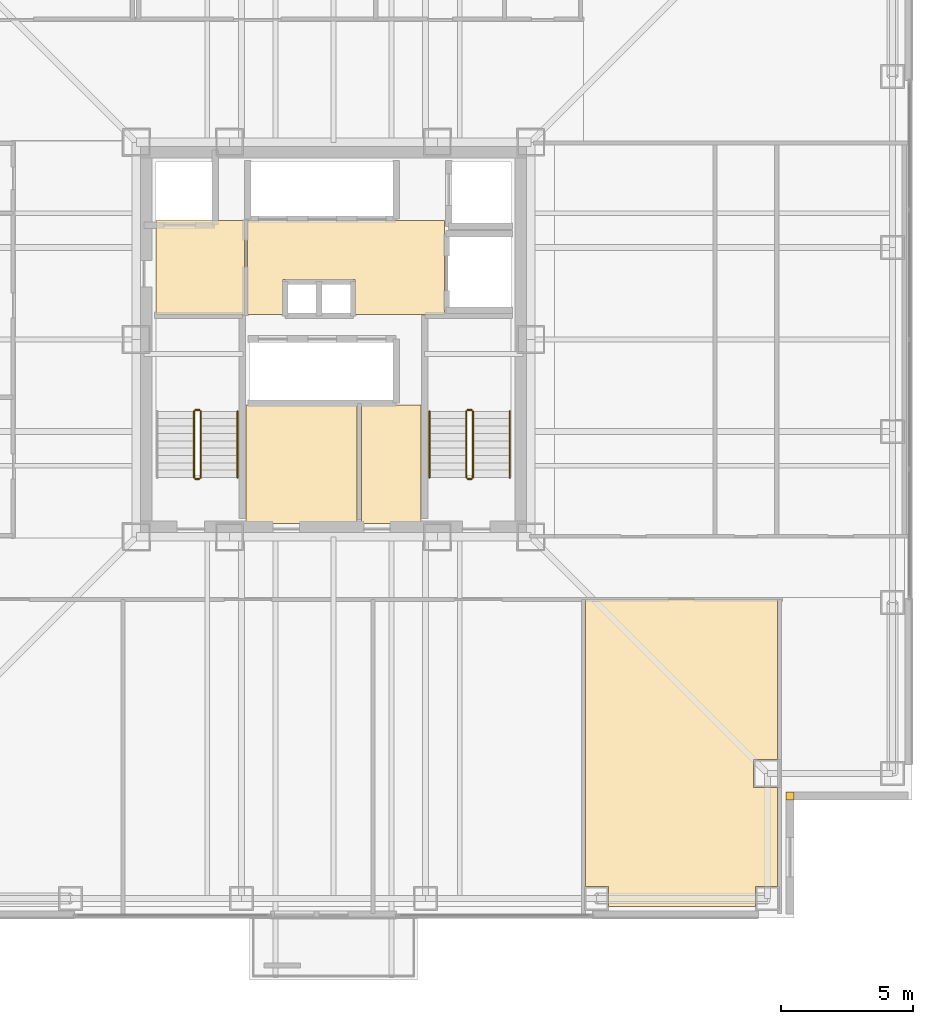
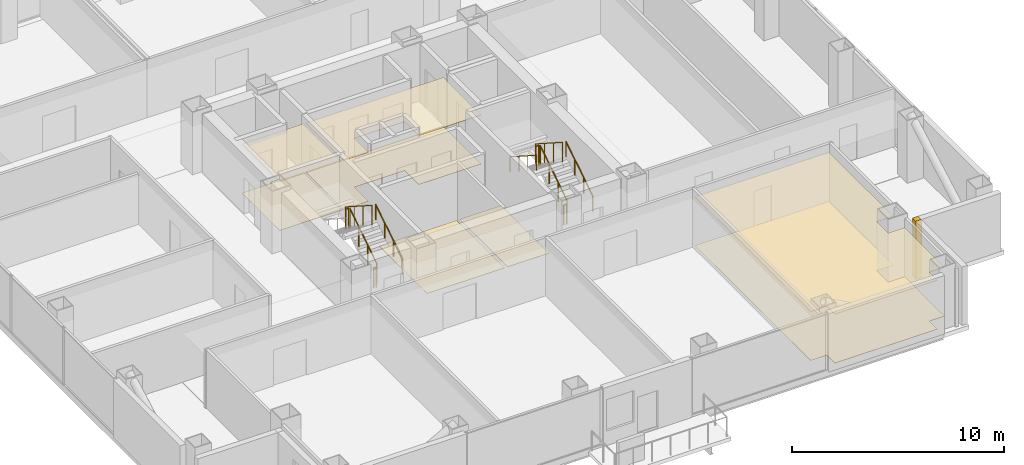
# One storey, part 13 of 14: 11 railings, 9 coverings.
"""IFC4 building model written with IfcOpenShell, lengths in metres."""

from ifc_helpers import new_model, si_unit, direction, frame, origin, origin_2d, place, context, subcontext, project, spatial, polyline, circle, outline, extrude, material, layer, layer_set, type_object, element, save


model = new_model("IFC4")

# Units and contexts
model_context = context("Model", 3, precision=1e-05, world=origin(), true_north=direction((0.0, 1.0)))
body_context = subcontext(model_context, "Body", "Model", "MODEL_VIEW")
ifc_project = project(units=[si_unit("LENGTHUNIT", "METRE"), si_unit("AREAUNIT", "SQUARE_METRE"), si_unit("VOLUMEUNIT", "CUBIC_METRE"), si_unit("PLANEANGLEUNIT", "RADIAN"), si_unit("MASSUNIT", "GRAM", prefix="KILO")], contexts=[model_context])

# Site, building, storey
site_placement = place(None, origin())
site = spatial("IfcSite", under=ifc_project, at=site_placement, CompositionType="ELEMENT")
building_placement = place(site_placement, origin())
building = spatial("IfcBuilding", under=site, at=building_placement, Name="Trevonay Congress Spire", CompositionType="ELEMENT")
storey_placement = place(building_placement, frame((0.0, 0.0, 133.60009765625)))
storey = spatial("IfcBuildingStorey", under=building, at=storey_placement, Name="L34", CompositionType="ELEMENT", Elevation=133.60009765625)

# Coverings
ifc_material_1 = material(Name="Acoustic Mineral Fibre Board", Category="gypsum")
ifc_layer_1 = layer(ifc_material_1, 0.02490234375, Name="Acoustic Mineral Fibre Board")
ifc_layer_set_1 = layer_set([ifc_layer_1], Name="Acoustic Mineral Fibre Board")
covering_type_1 = type_object("IfcCoveringType", Name="COV-CEIL-ACOUSTIC", PredefinedType="CEILING", material=ifc_layer_set_1)
covering_1_placement = place(storey_placement, frame((0.0, 0.0, 2.809814453125)))
element("IfcCovering", 1, at=covering_1_placement, inside=storey, type_object=covering_type_1, Name="L34 Firefighting Lift Lobby West acoustic suspended ceiling", PredefinedType="CEILING", context=body_context, shape_type="SweptSolid", body=[
    extrude(outline(polyline([(-6.75, 0.9599609375), (-3.3798828125, 0.9599609375), (-3.3798828125, 4.52001953125), (-6.75, 4.52001953125), (-6.75, 0.9599609375)])), origin(), (0.0, 0.0, 1.0), 0.025146484375),
])
covering_2_placement = place(storey_placement, frame((0.0, 0.0, 2.809814453125)))
element("IfcCovering", 2, at=covering_2_placement, inside=storey, type_object=covering_type_1, Name="L34 Central and High-Rise Passenger Lift Lobby acoustic suspended ceiling", PredefinedType="CEILING", context=body_context, shape_type="SweptSolid", body=[
    extrude(outline(polyline([(-3.280029296875, 0.949951171875), (-1.919921875, 0.949951171875), (-1.919921875, 2.280029296875), (0.820068359375, 2.280029296875), (0.820068359375, 0.949951171875), (4.219970703125, 0.949951171875), (4.219970703125, 4.52001953125), (-3.280029296875, 4.52001953125), (-3.280029296875, 0.949951171875)])), origin(), (0.0, 0.0, 1.0), 0.025146484375),
])
covering_3_placement = place(storey_placement, frame((0.0, 0.0, 2.809814453125)))
element("IfcCovering", 3, at=covering_3_placement, inside=storey, type_object=covering_type_1, Name="L34 Library Catalogue Office acoustic suspended ceiling", PredefinedType="CEILING", context=body_context, shape_type="SweptSolid", body=[
    extrude(outline(polyline([(10.4599609375, -21.550048828125), (10.4599609375, -20.7900390625), (9.580078125, -20.7900390625), (9.580078125, -9.8798828125), (16.8701171875, -9.8798828125), (16.8701171875, -15.965087890625), (15.965087890625, -15.965087890625), (15.965087890625, -17.034912109375), (16.8701171875, -17.034912109375), (16.8701171875, -20.7900390625), (16.0400390625, -20.7900390625), (16.0400390625, -21.550048828125), (10.4599609375, -21.550048828125)])), origin(), (0.0, 0.0, 1.0), 0.025146484375),
])
ifc_material_2 = material(Name="Polished Granite Floor Tile", Category="masonry")
ifc_layer_2 = layer(ifc_material_2, 0.02001953125, Name="Polished Granite Floor Tile")
ifc_layer_set_2 = layer_set([ifc_layer_2], Name="Polished Granite Floor Tile")
covering_type_2 = type_object("IfcCoveringType", Name="COV-FLOOR-STONE", PredefinedType="FLOORING", material=ifc_layer_set_2)
covering_4_placement = place(storey_placement, origin())
element("IfcCovering", 4, at=covering_4_placement, inside=storey, type_object=covering_type_2, Name="L34 Firefighting Lift Lobby West floor finish", PredefinedType="FLOORING", context=body_context, shape_type="SweptSolid", body=[
    extrude(outline(polyline([(-6.75, 0.9599609375), (-3.3798828125, 0.9599609375), (-3.3798828125, 4.52001953125), (-6.75, 4.52001953125), (-6.75, 0.9599609375)])), origin(), (0.0, 0.0, 1.0), 0.02001953125),
])
covering_5_placement = place(storey_placement, origin())
element("IfcCovering", 5, at=covering_5_placement, inside=storey, type_object=covering_type_2, Name="L34 Central and High-Rise Passenger Lift Lobby floor finish", PredefinedType="FLOORING", context=body_context, shape_type="SweptSolid", body=[
    extrude(outline(polyline([(-3.280029296875, 0.949951171875), (-1.919921875, 0.949951171875), (-1.919921875, 2.280029296875), (0.820068359375, 2.280029296875), (0.820068359375, 0.949951171875), (4.219970703125, 0.949951171875), (4.219970703125, 4.52001953125), (-3.280029296875, 4.52001953125), (-3.280029296875, 0.949951171875)])), origin(), (0.0, 0.0, 1.0), 0.02001953125),
])
covering_6_placement = place(storey_placement, origin())
element("IfcCovering", 6, at=covering_6_placement, inside=storey, type_object=covering_type_2, Name="L34 Translation Equipment Hub floor finish", PredefinedType="FLOORING", context=body_context, shape_type="SweptSolid", body=[
    extrude(outline(polyline([(-3.320068359375, -7.0), (0.89990234375, -7.0), (0.89990234375, -2.47998046875), (-3.320068359375, -2.47998046875), (-3.320068359375, -7.0)])), origin(), (0.0, 0.0, 1.0), 0.02001953125),
])
covering_7_placement = place(storey_placement, origin())
element("IfcCovering", 7, at=covering_7_placement, inside=storey, type_object=covering_type_2, Name="L34 Floor Supplies Store floor finish", PredefinedType="FLOORING", context=body_context, shape_type="SweptSolid", body=[
    extrude(outline(polyline([(1.06005859375, -7.0), (3.320068359375, -7.0), (3.320068359375, -2.47998046875), (1.06005859375, -2.47998046875), (1.06005859375, -7.0)])), origin(), (0.0, 0.0, 1.0), 0.02001953125),
])
ifc_material_3 = material(Name="Engineered Oak Flooring", Category="wood")
ifc_layer_3 = layer(ifc_material_3, 0.01806640625, Name="Engineered Oak Flooring")
ifc_layer_set_3 = layer_set([ifc_layer_3], Name="Engineered Oak Flooring")
covering_type_3 = type_object("IfcCoveringType", Name="COV-FLOOR-TIMBER", PredefinedType="FLOORING", material=ifc_layer_set_3)
covering_8_placement = place(storey_placement, origin())
element("IfcCovering", 8, at=covering_8_placement, inside=storey, type_object=covering_type_3, Name="L34 Library Catalogue Office floor finish", PredefinedType="FLOORING", context=body_context, shape_type="SweptSolid", body=[
    extrude(outline(polyline([(10.4599609375, -21.550048828125), (10.4599609375, -20.7900390625), (9.580078125, -20.7900390625), (9.580078125, -9.8798828125), (16.8701171875, -9.8798828125), (16.8701171875, -15.965087890625), (15.965087890625, -15.965087890625), (15.965087890625, -17.034912109375), (16.8701171875, -17.034912109375), (16.8701171875, -20.7900390625), (16.0400390625, -20.7900390625), (16.0400390625, -21.550048828125), (10.4599609375, -21.550048828125)])), origin(), (0.0, 0.0, 1.0), 0.017822265625),
])
ifc_material_4 = material(Name="Pale Anodised Aluminium EN AW-6063-T6", Category="aluminium")
ifc_layer_4 = layer(ifc_material_4, 0.0400390625, Name="Pale Anodised Aluminium EN AW-6063-T6")
ifc_layer_set_4 = layer_set([ifc_layer_4], Name="Pale Anodised Aluminium EN AW-6063-T6")
covering_type_4 = type_object("IfcCoveringType", Name="COV-SPANDREL-PALE-METAL", PredefinedType="CLADDING", material=ifc_layer_set_4)
covering_9_placement = place(storey_placement, origin())
element("IfcCovering", 9, at=covering_9_placement, inside=storey, type_object=covering_type_4, Name="L34 SE re-entrant notch corner closure trim", PredefinedType="CLADDING", context=body_context, shape_type="SweptSolid", body=[
    extrude(outline(polyline([(17.199951171875, -17.5), (17.5, -17.5), (17.5, -17.199951171875), (17.199951171875, -17.199951171875), (17.199951171875, -17.5)])), origin(), (0.0, 0.0, 1.0), 3.35986328125),
])

# Railings
railing_type_1 = type_object("IfcRailingType", Name="RAL-STAIR-GUARD-110", PredefinedType="GUARDRAIL", material=ifc_material_4)
railing_1_placement = place(storey_placement, frame((-5.050048828125, -5.25, 0.179931640625)))
element("IfcRailing", 10, at=railing_1_placement, inside=storey, type_object=railing_type_1, Name="L34 ST-1 stair guard 1", PredefinedType="GUARDRAIL", context=body_context, shape_type="SweptSolid", body=[
    extrude(circle(Radius=0.02392578125, at=origin_2d()), frame((0.0, 0.0, 1.1259765625), z_axis=(0.0, 0.841199657755, 0.540724639528), x_axis=(-1.0, 0.0, 0.0)), (0.0, 0.0, 1.0), 2.995849609375),
    extrude(circle(Radius=0.02099609375, at=origin_2d()), origin(), (0.0, 0.0, 1.0), 1.101806640625),
    extrude(circle(Radius=0.02099609375, at=origin_2d()), frame((0.0, 0.840087890625, 0.5400390625)), (0.0, 0.0, 1.0), 1.101806640625),
    extrude(circle(Radius=0.02099609375, at=origin_2d()), frame((0.0, 1.679931640625, 1.079833984375)), (0.0, 0.0, 1.0), 1.101806640625),
    extrude(circle(Radius=0.02099609375, at=origin_2d()), frame((0.0, 2.52001953125, 1.619873046875)), (0.0, 0.0, 1.0), 1.101806640625),
])
railing_2_placement = place(storey_placement, frame((-5.10009765625, -2.679931640625, 1.7998046875)))
element("IfcRailing", 11, at=railing_2_placement, inside=storey, type_object=railing_type_1, Name="L34 ST-1 stair guard 2", PredefinedType="GUARDRAIL", context=body_context, shape_type="SweptSolid", body=[
    extrude(circle(Radius=0.02392578125, at=origin_2d()), frame((0.0, 0.0, 1.1259765625), z_axis=(-1.0, 0.0, 0.0), x_axis=(0.0, -1.0, 0.0)), (0.0, 0.0, 1.0), 0.14990234375),
    extrude(circle(Radius=0.02099609375, at=origin_2d()), origin(), (0.0, 0.0, 1.0), 1.101806640625),
    extrude(circle(Radius=0.02099609375, at=origin_2d()), frame((-0.14990234375, 0.0, 0.0)), (0.0, 0.0, 1.0), 1.101806640625),
])
railing_3_placement = place(storey_placement, frame((-5.300048828125, -2.72998046875, 1.97998046875)))
element("IfcRailing", 12, at=railing_3_placement, inside=storey, type_object=railing_type_1, Name="L34 ST-1 stair guard 3", PredefinedType="GUARDRAIL", context=body_context, shape_type="SweptSolid", body=[
    extrude(circle(Radius=0.02392578125, at=origin_2d()), frame((0.0, 0.0, 1.1259765625), z_axis=(0.0, -0.841199657755, 0.540724639528), x_axis=(1.0, 0.0, 0.0)), (0.0, 0.0, 1.0), 2.995849609375),
    extrude(circle(Radius=0.02099609375, at=origin_2d()), origin(), (0.0, 0.0, 1.0), 1.101806640625),
    extrude(circle(Radius=0.02099609375, at=origin_2d()), frame((0.0, -0.840087890625, 0.5400390625)), (0.0, 0.0, 1.0), 1.101806640625),
    extrude(circle(Radius=0.02099609375, at=origin_2d()), frame((0.0, -1.679931640625, 1.079833984375)), (0.0, 0.0, 1.0), 1.101806640625),
    extrude(circle(Radius=0.02099609375, at=origin_2d()), frame((0.0, -2.52001953125, 1.619873046875)), (0.0, 0.0, 1.0), 1.101806640625),
])
railing_4_placement = place(storey_placement, frame((-5.10009765625, -5.300048828125, 0.0)))
element("IfcRailing", 13, at=railing_4_placement, inside=storey, type_object=railing_type_1, Name="L34 ST-1 stair guard 4", PredefinedType="GUARDRAIL", context=body_context, shape_type="SweptSolid", body=[
    extrude(circle(Radius=0.02392578125, at=origin_2d()), frame((0.0, 0.0, 1.1259765625), z_axis=(-1.0, 0.0, 0.0), x_axis=(0.0, -1.0, 0.0)), (0.0, 0.0, 1.0), 0.14990234375),
    extrude(circle(Radius=0.02099609375, at=origin_2d()), origin(), (0.0, 0.0, 1.0), 1.101806640625),
    extrude(circle(Radius=0.02099609375, at=origin_2d()), frame((-0.14990234375, 0.0, 0.0)), (0.0, 0.0, 1.0), 1.101806640625),
])
railing_5_placement = place(storey_placement, frame((5.300048828125, -5.25, 0.179931640625)))
element("IfcRailing", 14, at=railing_5_placement, inside=storey, type_object=railing_type_1, Name="L34 ST-2 stair guard 1", PredefinedType="GUARDRAIL", context=body_context, shape_type="SweptSolid", body=[
    extrude(circle(Radius=0.02392578125, at=origin_2d()), frame((0.0, 0.0, 1.1259765625), z_axis=(0.0, 0.841199657755, 0.540724639528), x_axis=(-1.0, 0.0, 0.0)), (0.0, 0.0, 1.0), 2.995849609375),
    extrude(circle(Radius=0.02099609375, at=origin_2d()), origin(), (0.0, 0.0, 1.0), 1.101806640625),
    extrude(circle(Radius=0.02099609375, at=origin_2d()), frame((0.0, 0.840087890625, 0.5400390625)), (0.0, 0.0, 1.0), 1.101806640625),
    extrude(circle(Radius=0.02099609375, at=origin_2d()), frame((0.0, 1.679931640625, 1.079833984375)), (0.0, 0.0, 1.0), 1.101806640625),
    extrude(circle(Radius=0.02099609375, at=origin_2d()), frame((0.0, 2.52001953125, 1.619873046875)), (0.0, 0.0, 1.0), 1.101806640625),
])
railing_6_placement = place(storey_placement, frame((5.25, -2.679931640625, 1.7998046875)))
element("IfcRailing", 15, at=railing_6_placement, inside=storey, type_object=railing_type_1, Name="L34 ST-2 stair guard 2", PredefinedType="GUARDRAIL", context=body_context, shape_type="SweptSolid", body=[
    extrude(circle(Radius=0.02392578125, at=origin_2d()), frame((0.0, 0.0, 1.1259765625), z_axis=(-1.0, 0.0, 0.0), x_axis=(0.0, -1.0, 0.0)), (0.0, 0.0, 1.0), 0.14990234375),
    extrude(circle(Radius=0.02099609375, at=origin_2d()), origin(), (0.0, 0.0, 1.0), 1.101806640625),
    extrude(circle(Radius=0.02099609375, at=origin_2d()), frame((-0.14990234375, 0.0, 0.0)), (0.0, 0.0, 1.0), 1.101806640625),
])
railing_7_placement = place(storey_placement, frame((5.050048828125, -2.72998046875, 1.97998046875)))
element("IfcRailing", 16, at=railing_7_placement, inside=storey, type_object=railing_type_1, Name="L34 ST-2 stair guard 3", PredefinedType="GUARDRAIL", context=body_context, shape_type="SweptSolid", body=[
    extrude(circle(Radius=0.02392578125, at=origin_2d()), frame((0.0, 0.0, 1.1259765625), z_axis=(0.0, -0.841199657755, 0.540724639528), x_axis=(1.0, 0.0, 0.0)), (0.0, 0.0, 1.0), 2.995849609375),
    extrude(circle(Radius=0.02099609375, at=origin_2d()), origin(), (0.0, 0.0, 1.0), 1.101806640625),
    extrude(circle(Radius=0.02099609375, at=origin_2d()), frame((0.0, -0.840087890625, 0.5400390625)), (0.0, 0.0, 1.0), 1.101806640625),
    extrude(circle(Radius=0.02099609375, at=origin_2d()), frame((0.0, -1.679931640625, 1.079833984375)), (0.0, 0.0, 1.0), 1.101806640625),
    extrude(circle(Radius=0.02099609375, at=origin_2d()), frame((0.0, -2.52001953125, 1.619873046875)), (0.0, 0.0, 1.0), 1.101806640625),
])
railing_8_placement = place(storey_placement, frame((5.25, -5.300048828125, 0.0)))
element("IfcRailing", 17, at=railing_8_placement, inside=storey, type_object=railing_type_1, Name="L34 ST-2 stair guard 4", PredefinedType="GUARDRAIL", context=body_context, shape_type="SweptSolid", body=[
    extrude(circle(Radius=0.02392578125, at=origin_2d()), frame((0.0, 0.0, 1.1259765625), z_axis=(-1.0, 0.0, 0.0), x_axis=(0.0, -1.0, 0.0)), (0.0, 0.0, 1.0), 0.14990234375),
    extrude(circle(Radius=0.02099609375, at=origin_2d()), origin(), (0.0, 0.0, 1.0), 1.101806640625),
    extrude(circle(Radius=0.02099609375, at=origin_2d()), frame((-0.14990234375, 0.0, 0.0)), (0.0, 0.0, 1.0), 1.101806640625),
])
railing_type_2 = type_object("IfcRailingType", Name="RAL-STAIR-HANDRAIL", PredefinedType="HANDRAIL", material=ifc_material_4)
for number, where, name in (
    (18, (-3.64990234375, -5.25, 0.179931640625), "L34 ST-1 stair handrail 1"),
    (19, (6.699951171875, -5.25, 0.179931640625), "L34 ST-2 stair handrail 1"),
):
    element("IfcRailing", number, at=place(storey_placement, frame(where)), inside=storey, type_object=railing_type_2, Name=name, PredefinedType="HANDRAIL", context=body_context, shape_type="SweptSolid", body=[
        extrude(circle(Radius=0.02392578125, at=origin_2d()), frame((0.0, 0.0, 0.8759765625), z_axis=(0.0, 0.841199657755, 0.540724639528), x_axis=(-1.0, 0.0, 0.0)), (0.0, 0.0, 1.0), 2.995849609375),
        extrude(circle(Radius=0.02099609375, at=origin_2d()), origin(), (0.0, 0.0, 1.0), 0.851806640625),
        extrude(circle(Radius=0.02099609375, at=origin_2d()), frame((0.0, 0.840087890625, 0.5400390625)), (0.0, 0.0, 1.0), 0.851806640625),
        extrude(circle(Radius=0.02099609375, at=origin_2d()), frame((0.0, 1.679931640625, 1.079833984375)), (0.0, 0.0, 1.0), 0.851806640625),
        extrude(circle(Radius=0.02099609375, at=origin_2d()), frame((0.0, 2.52001953125, 1.619873046875)), (0.0, 0.0, 1.0), 0.851806640625),
    ])
railing_9_placement = place(storey_placement, frame((3.64990234375, -2.72998046875, 1.97998046875)))
element("IfcRailing", 20, at=railing_9_placement, inside=storey, type_object=railing_type_2, Name="L34 ST-2 stair handrail 2", PredefinedType="HANDRAIL", context=body_context, shape_type="SweptSolid", body=[
    extrude(circle(Radius=0.02392578125, at=origin_2d()), frame((0.0, 0.0, 0.8759765625), z_axis=(0.0, -0.841199657755, 0.540724639528), x_axis=(1.0, 0.0, 0.0)), (0.0, 0.0, 1.0), 2.995849609375),
    extrude(circle(Radius=0.02099609375, at=origin_2d()), origin(), (0.0, 0.0, 1.0), 0.851806640625),
    extrude(circle(Radius=0.02099609375, at=origin_2d()), frame((0.0, -0.840087890625, 0.5400390625)), (0.0, 0.0, 1.0), 0.851806640625),
    extrude(circle(Radius=0.02099609375, at=origin_2d()), frame((0.0, -1.679931640625, 1.079833984375)), (0.0, 0.0, 1.0), 0.851806640625),
    extrude(circle(Radius=0.02099609375, at=origin_2d()), frame((0.0, -2.52001953125, 1.619873046875)), (0.0, 0.0, 1.0), 0.851806640625),
])

save(model, "model.ifc")
